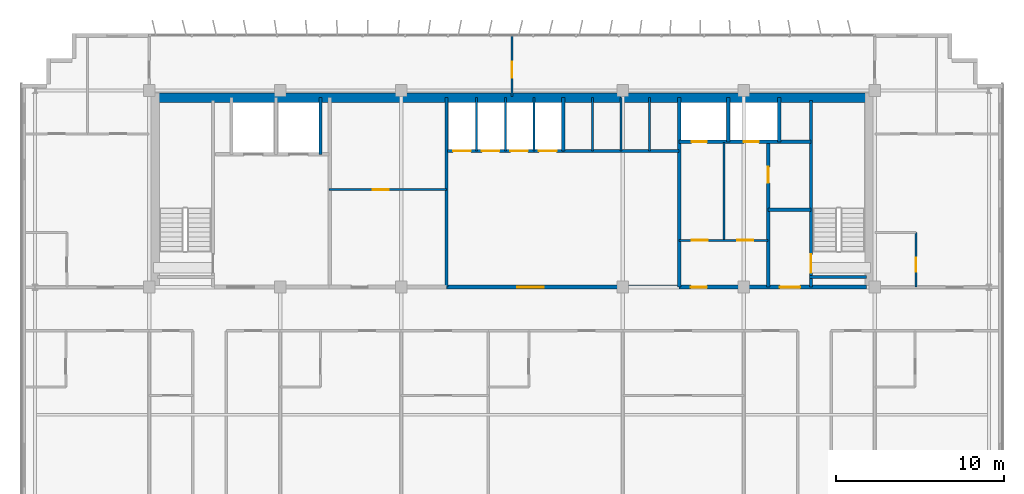
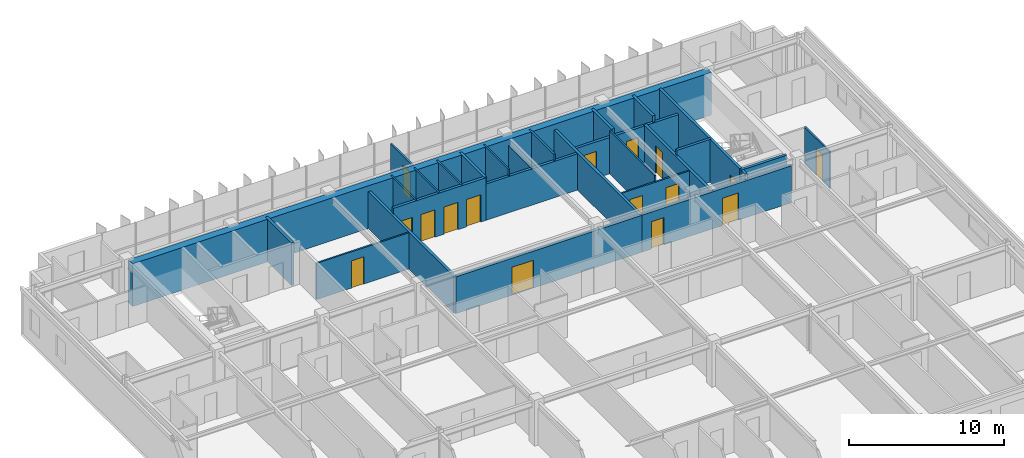
# One storey, part 20 of 23: 27 walls, 16 doors, 16 openings.
"""IFC4 building model written with IfcOpenShell, lengths in metres."""

import ifcopenshell
import ifcopenshell.guid

model = None  # the IFC model being written
_history = None  # IfcOwnerHistory: only IFC2X3 demands one
_inside = {}  # id of a spatial element -> (the spatial element, [elements in it])
_under = {}  # id of a project, library or spatial element -> (it, [spatial elements below it])
_declared = {}  # id of a project -> (the project, [libraries it declares])
_typed = {}  # id of a type object -> (the type object, [elements of that type])
_made_of = {}  # id of a material, layer set ... -> (it, [elements and type objects made of it])


def new_model(schema):
    """Start an empty IFC model of exactly this schema.

    Asked for "IFC4X3", IfcOpenShell would pick the latest addendum, in which some entities
    have other attributes; the version numbers below select the first issue.
    IFC2X3 requires an IfcOwnerHistory on every rooted entity: one is made here for all.
    """
    global model, _history
    if schema == "IFC4X3":
        model = ifcopenshell.file(schema_version=(4, 3, 0, 0))
    else:
        model = ifcopenshell.file(schema=schema)
    _inside.clear()
    _under.clear()
    _declared.clear()
    _typed.clear()
    _made_of.clear()
    _history = None
    if model.schema == "IFC2X3":
        org = make("IfcOrganization", Name="unknown")
        user = make(
            "IfcPersonAndOrganization",
            ThePerson=make("IfcPerson", FamilyName="unknown"),
            TheOrganization=org,
        )
        app = make(
            "IfcApplication",
            ApplicationDeveloper=org,
            Version="unknown",
            ApplicationFullName="unknown",
            ApplicationIdentifier="unknown",
        )
        _history = make(
            "IfcOwnerHistory",
            OwningUser=user,
            OwningApplication=app,
            ChangeAction="ADDED",
            CreationDate=0,
        )
    return model


def make(cls, **values):
    """One entity of the class cls with the attributes given. An attribute that is None is left unset."""
    return model.create_entity(
        cls, **{name: value for name, value in values.items() if value is not None}
    )


def rooted(cls, **values):
    """An entity with a GlobalId (a new one), such as an element, a storey or a relation."""
    return make(cls, GlobalId=ifcopenshell.guid.new(), OwnerHistory=_history, **values)


def si_unit(unit_type, name, prefix=None):
    """IfcSIUnit, for example si_unit("LENGTHUNIT", "METRE", prefix="MILLI")."""
    return make("IfcSIUnit", UnitType=unit_type, Prefix=prefix, Name=name)


def assignment(units):
    """IfcUnitAssignment: the units of a project."""
    return None if units is None else make("IfcUnitAssignment", Units=units)


def point(xyz):
    """IfcCartesianPoint."""
    return None if xyz is None else make("IfcCartesianPoint", Coordinates=xyz)


def direction(xyz):
    """IfcDirection."""
    return None if xyz is None else make("IfcDirection", DirectionRatios=xyz)


def frame(location, z_axis=None, x_axis=None):
    """IfcAxis2Placement3D, a coordinate frame: its origin and axes. An axis left out is left unset."""
    return make(
        "IfcAxis2Placement3D",
        Location=point(location),
        Axis=direction(z_axis),
        RefDirection=direction(x_axis),
    )


def frame_2d(location, x_axis=None):
    """IfcAxis2Placement2D, a coordinate frame in the plane: its origin and x axis."""
    return make(
        "IfcAxis2Placement2D", Location=point(location), RefDirection=direction(x_axis)
    )


def origin():
    """The frame at (0, 0, 0) with its axes left unset."""
    return frame((0.0, 0.0, 0.0))


def place(relative_to, where):
    """IfcLocalPlacement: puts the frame where relative to a parent placement (None: the world)."""
    return make(
        "IfcLocalPlacement", PlacementRelTo=relative_to, RelativePlacement=where
    )


def context(
    kind, dimensions, precision=None, world=None, true_north=None, identifier=None
):
    """IfcGeometricRepresentationContext, for example the 3D "Model" context."""
    return make(
        "IfcGeometricRepresentationContext",
        ContextIdentifier=identifier,
        ContextType=kind,
        CoordinateSpaceDimension=dimensions,
        Precision=precision,
        WorldCoordinateSystem=world,
        TrueNorth=true_north,
    )


def subcontext(parent, identifier, kind, view, scale=None):
    """IfcGeometricRepresentationSubContext, for example "Body" below "Model"."""
    return make(
        "IfcGeometricRepresentationSubContext",
        ContextIdentifier=identifier,
        ContextType=kind,
        ParentContext=parent,
        TargetScale=scale,
        TargetView=view,
    )


def project(units=None, contexts=None):
    """IfcProject with its units and contexts."""
    return rooted(
        "IfcProject",
        Name="project",
        RepresentationContexts=contexts,
        UnitsInContext=assignment(units),
    )


def spatial(cls, under=None, at=None, **own):
    """A site, building, storey or space (cls), placed at a placement, below another one or the project."""
    s = rooted(cls, ObjectPlacement=at, **own)
    if under is not None:
        _under.setdefault(under.id(), (under, []))[1].append(s)
    return s


def profile(cls, at=None, kind="AREA", **sizes):
    """A parametric profile (cls). Its sizes go by their IFC names, for example OverallWidth=200.0."""
    return make(cls, ProfileType=kind, Position=at, **sizes)


def rectangle(**sizes):
    """IfcRectangleProfileDef."""
    return profile("IfcRectangleProfileDef", **sizes)


def extrude(swept, where, along, depth):
    """IfcExtrudedAreaSolid: the profile swept, set in the frame where, extruded along a direction by depth."""
    return make(
        "IfcExtrudedAreaSolid",
        SweptArea=swept,
        Position=where,
        ExtrudedDirection=direction(along),
        Depth=depth,
    )


def shape(context_of_items, identifier, shape_type, items):
    """IfcShapeRepresentation: the items that make up one representation, for example the "Body"."""
    return make(
        "IfcShapeRepresentation",
        ContextOfItems=context_of_items,
        RepresentationIdentifier=identifier,
        RepresentationType=shape_type,
        Items=items,
    )


def source(mapping_origin, context_of_items, identifier, shape_type, items):
    """IfcRepresentationMap: a shape defined once, which mapped items show again and again."""
    return make(
        "IfcRepresentationMap",
        MappingOrigin=mapping_origin,
        MappedRepresentation=shape(context_of_items, identifier, shape_type, items),
    )


def transform(
    local_origin,
    x_axis=None,
    y_axis=None,
    z_axis=None,
    scale=None,
    scale2=None,
    scale3=None,
    uniform=True,
):
    """IfcCartesianTransformationOperator3D, or its non-uniform kind. x_axis, y_axis, z_axis: its Axis1, 2, 3."""
    if uniform:
        return make(
            "IfcCartesianTransformationOperator3D",
            Axis1=direction(x_axis),
            Axis2=direction(y_axis),
            LocalOrigin=point(local_origin),
            Scale=scale,
            Axis3=direction(z_axis),
        )
    return make(
        "IfcCartesianTransformationOperator3DnonUniform",
        Axis1=direction(x_axis),
        Axis2=direction(y_axis),
        LocalOrigin=point(local_origin),
        Scale=scale,
        Axis3=direction(z_axis),
        Scale2=scale2,
        Scale3=scale3,
    )


def mapped(mapping_source, mapping_target):
    """IfcMappedItem: shows the shape of a source again, moved by a transform."""
    return make(
        "IfcMappedItem", MappingSource=mapping_source, MappingTarget=mapping_target
    )


def material(Name=None, Category=None):
    """IfcMaterial."""
    return make("IfcMaterial", Name=Name, Category=Category)


def layer(
    of_material, thickness, ventilated=None, Name=None, Category=None, Priority=None
):
    """IfcMaterialLayer: one layer of a wall or slab, of a material (None: an air gap)."""
    return make(
        "IfcMaterialLayer",
        Material=of_material,
        LayerThickness=thickness,
        IsVentilated=ventilated,
        Name=Name,
        Category=Category,
        Priority=Priority,
    )


def layer_set(layers, Name=None):
    """IfcMaterialLayerSet."""
    return make("IfcMaterialLayerSet", MaterialLayers=layers, LayerSetName=Name)


def made_of(thing, what):
    """Note that an element or type object is made of a material, layer set ...; save() writes the relation."""
    if what is not None:
        _made_of.setdefault(what.id(), (what, []))[1].append(thing)
    return thing


def type_object(cls, material=None, **own):
    """A type object (cls), such as IfcWallType, which elements share."""
    return made_of(rooted(cls, **own), material)


def element(
    cls,
    number,
    at=None,
    inside=None,
    cuts=None,
    type_object=None,
    material=None,
    context=None,
    identifier="Body",
    shape_type=None,
    held_by="IfcProductDefinitionShape",
    body=None,
    shapes=None,
    **own,
):
    """One element of the class cls, such as IfcWall. Its Tag is "e" and its number.

    at: its placement. inside: the storey or other place that contains it. cuts: it is an
    opening in that element (IfcRelVoidsElement). A single representation is given by context,
    identifier, shape_type and body (its items); several are given by shapes. held_by: the class
    of the entity that holds the representations. save() writes the other relations.
    """
    e = rooted(cls, Tag="e%d" % number, ObjectPlacement=at, **own)
    if body is not None:
        shapes = [shape(context, identifier, shape_type, body)]
    if shapes is not None:
        e.Representation = make(held_by, Representations=shapes)
    if inside is not None:
        _inside.setdefault(inside.id(), (inside, []))[1].append(e)
    if cuts is not None:
        rooted(
            "IfcRelVoidsElement", RelatingBuildingElement=cuts, RelatedOpeningElement=e
        )
    if type_object is not None:
        _typed.setdefault(type_object.id(), (type_object, []))[1].append(e)
    return made_of(e, material)


def fill(opening, filler):
    """IfcRelFillsElement: the door or window that sits in an opening."""
    return rooted(
        "IfcRelFillsElement",
        RelatingOpeningElement=opening,
        RelatedBuildingElement=filler,
    )


def aggregate(whole, parts):
    """IfcRelAggregates: a whole, such as a stair, and the parts it consists of."""
    return rooted("IfcRelAggregates", RelatingObject=whole, RelatedObjects=parts)


def save(model, path):
    """Write the relations noted so far, then the file.

    IfcRelAggregates (storeys below a building ...), IfcRelContainedInSpatialStructure (elements
    in a storey), IfcRelDefinesByType, IfcRelAssociatesMaterial and IfcRelDeclares: one each for
    every whole, place, type object, material and project.
    """
    for whole, parts in _under.values():
        aggregate(whole, parts)
    for where, things in _inside.values():
        rooted(
            "IfcRelContainedInSpatialStructure",
            RelatedElements=things,
            RelatingStructure=where,
        )
    for kind, things in _typed.values():
        rooted("IfcRelDefinesByType", RelatedObjects=things, RelatingType=kind)
    for what, things in _made_of.values():
        rooted("IfcRelAssociatesMaterial", RelatedObjects=things, RelatingMaterial=what)
    for by, libraries in _declared.values():
        rooted("IfcRelDeclares", RelatingContext=by, RelatedDefinitions=libraries)
    model.write(path)


model = new_model("IFC4")

# Units and contexts
model_context = context("Model", 3, precision=1e-05, world=origin(), true_north=direction((0.0, 1.0)))
body_context = subcontext(model_context, "Body", "Model", "MODEL_VIEW")
ifc_project = project(units=[si_unit("LENGTHUNIT", "METRE"), si_unit("AREAUNIT", "SQUARE_METRE"), si_unit("VOLUMEUNIT", "CUBIC_METRE"), si_unit("PLANEANGLEUNIT", "RADIAN"), si_unit("MASSUNIT", "GRAM", prefix="KILO")], contexts=[model_context])

# Site, building, storey
site_placement = place(None, origin())
site = spatial("IfcSite", under=ifc_project, at=site_placement, CompositionType="ELEMENT")
building_placement = place(site_placement, origin())
building = spatial("IfcBuilding", under=site, at=building_placement, Name="Trelvane Seafront Commons", CompositionType="ELEMENT")
storey_placement = place(building_placement, frame((0.0, 0.0, 208.5)))
storey = spatial("IfcBuildingStorey", under=building, at=storey_placement, Name="L54", CompositionType="ELEMENT", Elevation=208.5)

# Wall, opening, door
ifc_material_1 = material(Name="Concrete C40/50", Category="concrete")
ifc_layer_1 = layer(ifc_material_1, 0.199951171875, Name="ARCH-WALL-FIRE200")
ifc_layer_set_1 = layer_set([ifc_layer_1], Name="Concrete C40/50")
wall_type_1 = type_object("IfcWallType", Name="ARCH-WALL-FIRE200", PredefinedType="PARTITIONING", material=ifc_layer_set_1)
wall_1_placement = place(storey_placement, frame((52.449951171875, 33.39990234375, 0.0), z_axis=(0.0, 0.0, 1.0), x_axis=(0.0, 1.0, 0.0)))
wall_1 = element("IfcWall", 1, at=wall_1_placement, inside=storey, type_object=wall_type_1, Name="W-L54-ST2V-W-031", PredefinedType="PARTITIONING", context=body_context, shape_type="SweptSolid", body=[
    extrude(rectangle(XDim=8.650146484375, YDim=0.199951171875, at=frame_2d((4.3251953125, 0.0))), origin(), (0.0, 0.0, 1.0), 2.909912109375),
])
opening_1_placement = place(wall_1_placement, frame((6.199951171875, 0.0, 0.0)))
opening_1 = element("IfcOpeningElement", 2, at=opening_1_placement, cuts=wall_1, Name="Opening FD-L54-15", PredefinedType="OPENING", context=body_context, shape_type="SweptSolid", body=[
    extrude(rectangle(XDim=0.949951171875, YDim=2.14990234375, at=frame_2d((0.47509765625, 1.074951171875))), frame((0.0, 0.10986328125, 0.0), z_axis=(0.0, -1.0, 0.0), x_axis=(1.0, 0.0, 0.0)), (0.0, 0.0, 1.0), 0.219970703125),
])
ifc_material_2 = material(Name="Powder-coated aluminium frame", Category="aluminium")
door_type_1 = type_object("IfcDoorType", Name="ARCH-DR-FD60-950", OperationType="NOTDEFINED", PredefinedType="DOOR", material=ifc_material_2)
shared_shape_1 = source(origin(), body_context, "Body", "SweptSolid", [
    extrude(rectangle(XDim=0.949951171875, YDim=2.14990234375, at=frame_2d((0.47509765625, 1.074951171875))), frame((0.0, 0.02490234375, 0.0), z_axis=(0.0, -1.0, 0.0), x_axis=(1.0, 0.0, 0.0)), (0.0, 0.0, 1.0), 0.050048828125),
])
door_1_placement = place(opening_1_placement, origin())
door_1 = element("IfcDoor", 3, at=door_1_placement, inside=storey, type_object=door_type_1, Name="L54 Cleaner Store Door", OperationType="SINGLE_SWING_LEFT", OverallHeight=2.14990234375, OverallWidth=0.949951171875, PredefinedType="DOOR", context=body_context, shape_type="MappedRepresentation", body=[
    mapped(shared_shape_1, transform((0.0, 0.0, 0.0), x_axis=(1.0, 0.0, 0.0), y_axis=(0.0, 1.0, 0.0), z_axis=(0.0, 0.0, 1.0), scale=1.0)),
])
fill(opening_1, door_1)

# Wall
wall_2_placement = place(storey_placement, frame((52.449951171875, 38.0, 0.0), z_axis=(0.0, 0.0, 1.0), x_axis=(1.0, 0.0, 0.0)))
element("IfcWall", 4, at=wall_2_placement, inside=storey, type_object=wall_type_1, Name="W-L54-ST2V-N-032", PredefinedType="PARTITIONING", context=body_context, shape_type="SweptSolid", body=[
    extrude(rectangle(XDim=2.550048828125, YDim=0.199951171875, at=frame_2d((1.27490234375, 0.0))), origin(), (0.0, 0.0, 1.0), 3.360107421875),
])

# Wall, opening, door
ifc_layer_2 = layer(ifc_material_1, 0.25, Name="ARCH-WALL-FIRE250")
ifc_layer_set_2 = layer_set([ifc_layer_2], Name="Concrete C40/50")
wall_type_2 = type_object("IfcWallType", Name="ARCH-WALL-FIRE250", PredefinedType="PARTITIONING", material=ifc_layer_set_2)
wall_3_placement = place(storey_placement, frame((33.300048828125, 33.39990234375, 0.0), z_axis=(0.0, 0.0, 1.0), x_axis=(1.0, 0.0, 0.0)))
wall_3 = element("IfcWall", 5, at=wall_3_placement, inside=storey, type_object=wall_type_2, Name="W-L54-CS-PAX-027", PredefinedType="PARTITIONING", context=body_context, shape_type="SweptSolid", body=[
    extrude(rectangle(XDim=13.849853515625, YDim=0.25, at=frame_2d((6.9248046875, 0.0))), origin(), (0.0, 0.0, 1.0), 2.909912109375),
])
opening_2_placement = place(wall_3_placement, frame((4.199951171875, 0.0, 0.0)))
opening_2 = element("IfcOpeningElement", 6, at=opening_2_placement, cuts=wall_3, Name="Opening FD-L54-12", PredefinedType="OPENING", context=body_context, shape_type="SweptSolid", body=[
    extrude(rectangle(XDim=1.60009765625, YDim=2.199951171875, at=frame_2d((0.800048828125, 1.10009765625))), frame((0.0, 0.135009765625, 0.0), z_axis=(0.0, -1.0, 0.0), x_axis=(1.0, 0.0, 0.0)), (0.0, 0.0, 1.0), 0.27001953125),
])
door_type_2 = type_object("IfcDoorType", Name="ARCH-DR-FD60-1600", OperationType="DOUBLE_DOOR_SINGLE_SWING", PredefinedType="DOOR", material=ifc_material_2)
shared_shape_2 = source(origin(), body_context, "Body", "SweptSolid", [
    extrude(rectangle(XDim=1.60009765625, YDim=2.199951171875, at=frame_2d((0.800048828125, 1.10009765625))), frame((0.0, 0.02490234375, 0.0), z_axis=(0.0, -1.0, 0.0), x_axis=(1.0, 0.0, 0.0)), (0.0, 0.0, 1.0), 0.050048828125),
])
door_2_placement = place(opening_2_placement, origin())
door_2 = element("IfcDoor", 7, at=door_2_placement, inside=storey, type_object=door_type_2, Name="L54 Passenger Lift Lobby Double Door", OperationType="DOUBLE_DOOR_SINGLE_SWING", OverallHeight=2.199951171875, OverallWidth=1.60009765625, PredefinedType="DOOR", context=body_context, shape_type="MappedRepresentation", body=[
    mapped(shared_shape_2, transform((0.0, 0.0, 0.0), x_axis=(1.0, 0.0, 0.0), y_axis=(0.0, 1.0, 0.0), z_axis=(0.0, 0.0, 1.0), scale=1.0)),
])
fill(opening_2, door_2)

# Wall, openings, doors
wall_4_placement = place(storey_placement, frame((47.14990234375, 33.39990234375, 0.0), z_axis=(0.0, 0.0, 1.0), x_axis=(1.0, 0.0, 0.0)))
wall_4 = element("IfcWall", 8, at=wall_4_placement, inside=storey, type_object=wall_type_2, Name="W-L54-CS-EAST-035", PredefinedType="PARTITIONING", context=body_context, shape_type="SweptSolid", body=[
    extrude(rectangle(XDim=11.150146484375, YDim=0.25, at=frame_2d((5.5751953125, 0.0))), origin(), (0.0, 0.0, 1.0), 2.909912109375),
])
opening_3_placement = place(wall_4_placement, frame((0.699951171875, 0.0, 0.0)))
opening_3 = element("IfcOpeningElement", 9, at=opening_3_placement, cuts=wall_4, Name="Opening FD-L54-18", PredefinedType="OPENING", context=body_context, shape_type="SweptSolid", body=[
    extrude(rectangle(XDim=0.949951171875, YDim=2.14990234375, at=frame_2d((0.47509765625, 1.074951171875))), frame((0.0, 0.135009765625, 0.0), z_axis=(0.0, -1.0, 0.0), x_axis=(1.0, 0.0, 0.0)), (0.0, 0.0, 1.0), 0.27001953125),
])
opening_4_placement = place(wall_4_placement, frame((6.0, 0.0, 0.0)))
opening_4 = element("IfcOpeningElement", 10, at=opening_4_placement, cuts=wall_4, Name="Opening FD-L54-19", PredefinedType="OPENING", context=body_context, shape_type="SweptSolid", body=[
    extrude(rectangle(XDim=1.199951171875, YDim=2.14990234375, at=frame_2d((0.60009765625, 1.074951171875))), frame((0.0, 0.135009765625, 0.0), z_axis=(0.0, -1.0, 0.0), x_axis=(1.0, 0.0, 0.0)), (0.0, 0.0, 1.0), 0.27001953125),
])
door_3_placement = place(opening_3_placement, origin())
door_3 = element("IfcDoor", 11, at=door_3_placement, inside=storey, type_object=door_type_1, Name="L54 Core Service Lobby Door", OperationType="SINGLE_SWING_RIGHT", OverallHeight=2.14990234375, OverallWidth=0.949951171875, PredefinedType="DOOR", context=body_context, shape_type="MappedRepresentation", body=[
    mapped(shared_shape_1, transform((0.0, 0.0, 0.0), x_axis=(1.0, 0.0, 0.0), y_axis=(0.0, 1.0, 0.0), z_axis=(0.0, 0.0, 1.0), scale=1.0)),
])
fill(opening_3, door_3)
door_type_3 = type_object("IfcDoorType", Name="ARCH-DR-FD60-1200", OperationType="NOTDEFINED", PredefinedType="DOOR", material=ifc_material_2)
shared_shape_3 = source(origin(), body_context, "Body", "SweptSolid", [
    extrude(rectangle(XDim=1.199951171875, YDim=2.14990234375, at=frame_2d((0.60009765625, 1.074951171875))), frame((0.0, 0.02490234375, 0.0), z_axis=(0.0, -1.0, 0.0), x_axis=(1.0, 0.0, 0.0)), (0.0, 0.0, 1.0), 0.050048828125),
])
door_4_placement = place(opening_4_placement, origin())
door_4 = element("IfcDoor", 12, at=door_4_placement, inside=storey, type_object=door_type_3, Name="L54 East Stair Vestibule Fire Door", OperationType="SINGLE_SWING_LEFT", OverallHeight=2.14990234375, OverallWidth=1.199951171875, PredefinedType="DOOR", context=body_context, shape_type="MappedRepresentation", body=[
    mapped(shared_shape_3, transform((0.0, 0.0, 0.0), x_axis=(1.0, 0.0, 0.0), y_axis=(0.0, 1.0, 0.0), z_axis=(0.0, 0.0, 1.0), scale=1.0)),
])
fill(opening_4, door_4)

# Wall, opening, door
ifc_material_3 = material(Name="Gypsum Drywall Acoustic Partition")
ifc_layer_3 = layer(ifc_material_3, 0.1201171875, Name="ARCH-WALL-PART120")
ifc_layer_set_3 = layer_set([ifc_layer_3], Name="Gypsum Drywall Acoustic Partition")
wall_type_3 = type_object("IfcWallType", Name="ARCH-WALL-PART120", PredefinedType="PARTITIONING", material=ifc_layer_set_3)
wall_5_placement = place(storey_placement, frame((26.300048828125, 39.199951171875, 0.0), z_axis=(0.0, 0.0, 1.0), x_axis=(1.0, 0.0, 0.0)))
wall_5 = element("IfcWall", 13, at=wall_5_placement, inside=storey, type_object=wall_type_3, Name="W-L54-FREED-PL-MID-014", PredefinedType="PARTITIONING", context=body_context, shape_type="SweptSolid", body=[
    extrude(rectangle(XDim=7.0, YDim=0.1201171875, at=frame_2d((3.5, 0.0))), origin(), (0.0, 0.0, 1.0), 2.860107421875),
])
opening_5_placement = place(wall_5_placement, frame((2.60009765625, 0.0, 0.0)))
opening_5 = element("IfcOpeningElement", 14, at=opening_5_placement, cuts=wall_5, Name="Opening D-L54-06", PredefinedType="OPENING", context=body_context, shape_type="SweptSolid", body=[
    extrude(rectangle(XDim=0.949951171875, YDim=2.14990234375, at=frame_2d((0.47509765625, 1.074951171875))), frame((0.0, 0.070068359375, 0.0), z_axis=(0.0, -1.0, 0.0), x_axis=(1.0, 0.0, 0.0)), (0.0, 0.0, 1.0), 0.14013671875),
])
ifc_material_4 = material(Name="Acoustic timber door leaf", Category="wood")
door_type_4 = type_object("IfcDoorType", Name="ARCH-DR-INT950", OperationType="NOTDEFINED", PredefinedType="DOOR", material=ifc_material_4)
door_5_placement = place(opening_5_placement, origin())
door_5 = element("IfcDoor", 15, at=door_5_placement, inside=storey, type_object=door_type_4, Name="L54 Housekeeping Store Door", OperationType="SINGLE_SWING_RIGHT", OverallHeight=2.14990234375, OverallWidth=0.949951171875, PredefinedType="DOOR", context=body_context, shape_type="MappedRepresentation", body=[
    mapped(shared_shape_1, transform((0.0, 0.0, 0.0), x_axis=(1.0, 0.0, 0.0), y_axis=(0.0, 1.0, 0.0), z_axis=(0.0, 0.0, 1.0), scale=1.0)),
])
fill(opening_5, door_5)

# Walls
for number, where, z_axis, x_axis, name in (
    (16, (35.10009765625, 41.5, 0.0), (0.0, 0.0, 1.0), (0.0, 1.0, 0.0), "W-L54-PM-DIV1-017"),
    (17, (36.800048828125, 41.5, 0.0), (0.0, 0.0, 1.0), (0.0, 1.0, 0.0), "W-L54-PM-DIV2-018"),
    (18, (38.5, 41.5, 0.0), (0.0, 0.0, 1.0), (0.0, 1.0, 0.0), "W-L54-PM-DIV3-019"),
    (19, (42.0, 41.5, 0.0), (0.0, 0.0, 1.0), (0.0, 1.0, 0.0), "W-L54-PH-DIV1-022"),
):
    element("IfcWall", number, at=place(storey_placement, frame(where, z_axis=z_axis, x_axis=x_axis)), inside=storey, type_object=wall_type_3, Name=name, PredefinedType="PARTITIONING", context=body_context, shape_type="SweptSolid", body=[
        extrude(rectangle(XDim=3.199951171875, YDim=0.1201171875, at=frame_2d((1.60009765625, 0.0))), origin(), (0.0, 0.0, 1.0), 3.360107421875),
    ])
wall_6_placement = place(storey_placement, frame((43.699951171875, 41.5, 0.0), z_axis=(0.0, 0.0, 1.0), x_axis=(0.0, 1.0, 0.0)))
element("IfcWall", 20, at=wall_6_placement, inside=storey, type_object=wall_type_3, Name="W-L54-PH-DIV2-023", PredefinedType="PARTITIONING", context=body_context, shape_type="SweptSolid", body=[
    extrude(rectangle(XDim=3.199951171875, YDim=0.1201171875, at=frame_2d((1.60009765625, 0.0))), origin(), (0.0, 0.0, 1.0), 2.860107421875),
])
wall_7_placement = place(storey_placement, frame((45.39990234375, 41.5, 0.0), z_axis=(0.0, 0.0, 1.0), x_axis=(0.0, 1.0, 0.0)))
element("IfcWall", 21, at=wall_7_placement, inside=storey, type_object=wall_type_3, Name="W-L54-PH-DIV3-024", PredefinedType="PARTITIONING", context=body_context, shape_type="SweptSolid", body=[
    extrude(rectangle(XDim=3.199951171875, YDim=0.1201171875, at=frame_2d((1.60009765625, 0.0))), origin(), (0.0, 0.0, 1.0), 3.360107421875),
])

# Wall, openings, doors
wall_8_placement = place(storey_placement, frame((47.14990234375, 36.179931640625, 0.0), z_axis=(0.0, 0.0, 1.0), x_axis=(1.0, 0.0, 0.0)))
wall_8 = element("IfcWall", 22, at=wall_8_placement, inside=storey, type_object=wall_type_3, Name="W-L54-CYC1-H-033", PredefinedType="PARTITIONING", context=body_context, shape_type="SweptSolid", body=[
    extrude(rectangle(XDim=5.300048828125, YDim=0.1201171875, at=frame_2d((2.64990234375, 0.0))), origin(), (0.0, 0.0, 1.0), 2.860107421875),
])
opening_6_placement = place(wall_8_placement, frame((0.75, 0.0, 0.0)))
opening_6 = element("IfcOpeningElement", 23, at=opening_6_placement, cuts=wall_8, Name="Opening D-L54-16", PredefinedType="OPENING", context=body_context, shape_type="SweptSolid", body=[
    extrude(rectangle(XDim=0.949951171875, YDim=2.14990234375, at=frame_2d((0.47509765625, 1.074951171875))), frame((0.0, 0.070068359375, 0.0), z_axis=(0.0, -1.0, 0.0), x_axis=(1.0, 0.0, 0.0)), (0.0, 0.0, 1.0), 0.14013671875),
])
opening_7_placement = place(wall_8_placement, frame((3.449951171875, 0.0, 0.0)))
opening_7 = element("IfcOpeningElement", 24, at=opening_7_placement, cuts=wall_8, Name="Opening D-L54-17", PredefinedType="OPENING", context=body_context, shape_type="SweptSolid", body=[
    extrude(rectangle(XDim=0.949951171875, YDim=2.14990234375, at=frame_2d((0.47509765625, 1.074951171875))), frame((0.0, 0.070068359375, 0.0), z_axis=(0.0, -1.0, 0.0), x_axis=(1.0, 0.0, 0.0)), (0.0, 0.0, 1.0), 0.14013671875),
])
door_6_placement = place(opening_6_placement, origin())
door_6 = element("IfcDoor", 25, at=door_6_placement, inside=storey, type_object=door_type_4, Name="L54 Accessible WC Door", OperationType="SINGLE_SWING_RIGHT", OverallHeight=2.14990234375, OverallWidth=0.949951171875, PredefinedType="DOOR", context=body_context, shape_type="MappedRepresentation", body=[
    mapped(shared_shape_1, transform((0.0, 0.0, 0.0), x_axis=(1.0, 0.0, 0.0), y_axis=(0.0, 1.0, 0.0), z_axis=(0.0, 0.0, 1.0), scale=1.0)),
])
fill(opening_6, door_6)
door_7_placement = place(opening_7_placement, origin())
door_7 = element("IfcDoor", 26, at=door_7_placement, inside=storey, type_object=door_type_4, Name="L54 BMS Room Door", OperationType="SINGLE_SWING_LEFT", OverallHeight=2.14990234375, OverallWidth=0.949951171875, PredefinedType="DOOR", context=body_context, shape_type="MappedRepresentation", body=[
    mapped(shared_shape_1, transform((0.0, 0.0, 0.0), x_axis=(1.0, 0.0, 0.0), y_axis=(0.0, 1.0, 0.0), z_axis=(0.0, 0.0, 1.0), scale=1.0)),
])
fill(opening_7, door_7)

# Wall
wall_9_placement = place(storey_placement, frame((49.820068359375, 36.179931640625, 0.0), z_axis=(0.0, 0.0, 1.0), x_axis=(0.0, 1.0, 0.0)))
element("IfcWall", 27, at=wall_9_placement, inside=storey, type_object=wall_type_3, Name="W-L54-CYC1-V-034", PredefinedType="PARTITIONING", context=body_context, shape_type="SweptSolid", body=[
    extrude(rectangle(XDim=5.820068359375, YDim=0.1201171875, at=frame_2d((2.91015625, 0.0))), origin(), (0.0, 0.0, 1.0), 3.360107421875),
])

# Wall, opening, door
wall_10_placement = place(storey_placement, frame((61.25, 33.39990234375, 0.0), z_axis=(0.0, 0.0, 1.0), x_axis=(0.0, 1.0, 0.0)))
wall_10 = element("IfcWall", 28, at=wall_10_placement, inside=storey, type_object=wall_type_3, Name="W-L54-NE-BE-042", PredefinedType="PARTITIONING", context=body_context, shape_type="SweptSolid", body=[
    extrude(rectangle(XDim=3.25, YDim=0.1201171875, at=frame_2d((1.625, 0.0))), origin(), (0.0, 0.0, 1.0), 2.909912109375),
])
opening_8_placement = place(wall_10_placement, frame((0.89990234375, 0.0, 0.0)))
opening_8 = element("IfcOpeningElement", 29, at=opening_8_placement, cuts=wall_10, Name="Opening D-L54-24", PredefinedType="OPENING", context=body_context, shape_type="SweptSolid", body=[
    extrude(rectangle(XDim=0.85009765625, YDim=2.10009765625, at=frame_2d((0.425048828125, 1.050048828125))), frame((0.0, 0.070068359375, 0.0), z_axis=(0.0, -1.0, 0.0), x_axis=(1.0, 0.0, 0.0)), (0.0, 0.0, 1.0), 0.14013671875),
])
door_type_5 = type_object("IfcDoorType", Name="ARCH-DR-INT850", OperationType="NOTDEFINED", PredefinedType="DOOR", material=ifc_material_4)
shared_shape_4 = source(origin(), body_context, "Body", "SweptSolid", [
    extrude(rectangle(XDim=0.85009765625, YDim=2.10009765625, at=frame_2d((0.425048828125, 1.050048828125))), frame((0.0, 0.02490234375, 0.0), z_axis=(0.0, -1.0, 0.0), x_axis=(1.0, 0.0, 0.0)), (0.0, 0.0, 1.0), 0.050048828125),
])
door_8_placement = place(opening_8_placement, origin())
door_8 = element("IfcDoor", 30, at=door_8_placement, inside=storey, type_object=door_type_5, Name="L54 Door 24", OperationType="SINGLE_SWING_RIGHT", OverallHeight=2.10009765625, OverallWidth=0.85009765625, PredefinedType="DOOR", context=body_context, shape_type="MappedRepresentation", body=[
    mapped(shared_shape_4, transform((0.0, 0.0, 0.0), x_axis=(1.0, 0.0, 0.0), y_axis=(0.0, 1.0, 0.0), z_axis=(0.0, 0.0, 1.0), scale=1.0)),
])
fill(opening_8, door_8)

wall_11_placement = place(storey_placement, frame((37.199951171875, 44.75, 0.0), z_axis=(0.0, 0.0, 1.0), x_axis=(0.0, 1.0, 0.0)))
wall_11 = element("IfcWall", 31, at=wall_11_placement, inside=storey, type_object=wall_type_3, Name="W-L54-N-MID-DV-048", PredefinedType="PARTITIONING", context=body_context, shape_type="SweptSolid", body=[
    extrude(rectangle(XDim=3.610107421875, YDim=0.1201171875, at=frame_2d((1.80517578125, 0.0))), origin(), (0.0, 0.0, 1.0), 2.909912109375),
])
opening_9_placement = place(wall_11_placement, frame((1.10009765625, 0.0, 0.0)))
opening_9 = element("IfcOpeningElement", 32, at=opening_9_placement, cuts=wall_11, Name="Opening D-L54-28", PredefinedType="OPENING", context=body_context, shape_type="SweptSolid", body=[
    extrude(rectangle(XDim=0.949951171875, YDim=2.14990234375, at=frame_2d((0.47509765625, 1.074951171875))), frame((0.0, 0.070068359375, 0.0), z_axis=(0.0, -1.0, 0.0), x_axis=(1.0, 0.0, 0.0)), (0.0, 0.0, 1.0), 0.14013671875),
])
door_9_placement = place(opening_9_placement, origin())
door_9 = element("IfcDoor", 33, at=door_9_placement, inside=storey, type_object=door_type_4, Name="L54 Door 28", OperationType="SINGLE_SWING_RIGHT", OverallHeight=2.14990234375, OverallWidth=0.949951171875, PredefinedType="DOOR", context=body_context, shape_type="MappedRepresentation", body=[
    mapped(shared_shape_1, transform((0.0, 0.0, 0.0), x_axis=(1.0, 0.0, 0.0), y_axis=(0.0, 1.0, 0.0), z_axis=(0.0, 0.0, 1.0), scale=1.0)),
])
fill(opening_9, door_9)

# Walls
ifc_layer_4 = layer(ifc_material_1, 0.199951171875, Name="ARCH-WALL-SHAFT200")
ifc_layer_set_4 = layer_set([ifc_layer_4], Name="Concrete C40/50")
wall_type_4 = type_object("IfcWallType", Name="ARCH-WALL-SHAFT200", PredefinedType="SOLIDWALL", material=ifc_layer_set_4)
wall_12_placement = place(storey_placement, frame((25.800048828125, 41.300048828125, 0.0), z_axis=(0.0, 0.0, 1.0), x_axis=(0.0, 1.0, 0.0)))
element("IfcWall", 34, at=wall_12_placement, inside=storey, type_object=wall_type_4, Name="W-L54-FFL-SH-E-011", PredefinedType="SOLIDWALL", context=body_context, shape_type="SweptSolid", body=[
    extrude(rectangle(XDim=3.39990234375, YDim=0.199951171875, at=frame_2d((1.699951171875, 0.0))), origin(), (0.0, 0.0, 1.0), 3.360107421875),
])
wall_13_placement = place(storey_placement, frame((33.300048828125, 33.39990234375, 0.0), z_axis=(0.0, 0.0, 1.0), x_axis=(0.0, 1.0, 0.0)))
element("IfcWall", 35, at=wall_13_placement, inside=storey, type_object=wall_type_4, Name="W-L54-FREED-PL-E-015", PredefinedType="SOLIDWALL", context=body_context, shape_type="SweptSolid", body=[
    extrude(rectangle(XDim=11.300048828125, YDim=0.199951171875, at=frame_2d((5.64990234375, 0.0))), origin(), (0.0, 0.0, 1.0), 2.909912109375),
])

# Wall, openings, doors
wall_14_placement = place(storey_placement, frame((33.35009765625, 41.5, 0.0), z_axis=(0.0, 0.0, 1.0), x_axis=(1.0, 0.0, 0.0)))
wall_14 = element("IfcWall", 36, at=wall_14_placement, inside=storey, type_object=wall_type_4, Name="W-L54-PM-FRONT-016", PredefinedType="SOLIDWALL", context=body_context, shape_type="SweptSolid", body=[
    extrude(rectangle(XDim=6.89990234375, YDim=0.199951171875, at=frame_2d((3.449951171875, 0.0))), origin(), (0.0, 0.0, 1.0), 3.360107421875),
])
opening_10_placement = place(wall_14_placement, frame((0.35009765625, 0.0, 0.0)))
opening_10 = element("IfcOpeningElement", 37, at=opening_10_placement, cuts=wall_14, Name="Opening LD-PM1-L54", PredefinedType="OPENING", context=body_context, shape_type="SweptSolid", body=[
    extrude(rectangle(XDim=1.050048828125, YDim=2.14990234375, at=frame_2d((0.52490234375, 1.074951171875))), frame((0.0, 0.10986328125, 0.0), z_axis=(0.0, -1.0, 0.0), x_axis=(1.0, 0.0, 0.0)), (0.0, 0.0, 1.0), 0.219970703125),
])
opening_11_placement = place(wall_14_placement, frame((2.050048828125, 0.0, 0.0)))
opening_11 = element("IfcOpeningElement", 38, at=opening_11_placement, cuts=wall_14, Name="Opening LD-PM2-L54", PredefinedType="OPENING", context=body_context, shape_type="SweptSolid", body=[
    extrude(rectangle(XDim=1.050048828125, YDim=2.14990234375, at=frame_2d((0.52490234375, 1.074951171875))), frame((0.0, 0.10986328125, 0.0), z_axis=(0.0, -1.0, 0.0), x_axis=(1.0, 0.0, 0.0)), (0.0, 0.0, 1.0), 0.219970703125),
])
opening_12_placement = place(wall_14_placement, frame((3.75, 0.0, 0.0)))
opening_12 = element("IfcOpeningElement", 39, at=opening_12_placement, cuts=wall_14, Name="Opening LD-PM3-L54", PredefinedType="OPENING", context=body_context, shape_type="SweptSolid", body=[
    extrude(rectangle(XDim=1.050048828125, YDim=2.14990234375, at=frame_2d((0.52490234375, 1.074951171875))), frame((0.0, 0.10986328125, 0.0), z_axis=(0.0, -1.0, 0.0), x_axis=(1.0, 0.0, 0.0)), (0.0, 0.0, 1.0), 0.219970703125),
])
opening_13_placement = place(wall_14_placement, frame((5.449951171875, 0.0, 0.0)))
opening_13 = element("IfcOpeningElement", 40, at=opening_13_placement, cuts=wall_14, Name="Opening LD-PM4-L54", PredefinedType="OPENING", context=body_context, shape_type="SweptSolid", body=[
    extrude(rectangle(XDim=1.050048828125, YDim=2.14990234375, at=frame_2d((0.52490234375, 1.074951171875))), frame((0.0, 0.10986328125, 0.0), z_axis=(0.0, -1.0, 0.0), x_axis=(1.0, 0.0, 0.0)), (0.0, 0.0, 1.0), 0.219970703125),
])
ifc_material_5 = material(Name="Stainless steel balustrade", Category="steel")
door_type_6 = type_object("IfcDoorType", Name="ARCH-DR-LD1050", OperationType="DOUBLE_DOOR_SLIDING", PredefinedType="DOOR", material=ifc_material_5)
shared_shape_5 = source(origin(), body_context, "Body", "SweptSolid", [
    extrude(rectangle(XDim=1.050048828125, YDim=2.14990234375, at=frame_2d((0.52490234375, 1.074951171875))), frame((0.0, 0.02490234375, 0.0), z_axis=(0.0, -1.0, 0.0), x_axis=(1.0, 0.0, 0.0)), (0.0, 0.0, 1.0), 0.050048828125),
])
door_10_placement = place(opening_10_placement, origin())
door_10 = element("IfcDoor", 41, at=door_10_placement, inside=storey, type_object=door_type_6, Name="L54 Passenger Lift PM-1 Landing Door", OperationType="DOUBLE_DOOR_SLIDING", OverallHeight=2.14990234375, OverallWidth=1.050048828125, PredefinedType="DOOR", context=body_context, shape_type="MappedRepresentation", body=[
    mapped(shared_shape_5, transform((0.0, 0.0, 0.0), x_axis=(1.0, 0.0, 0.0), y_axis=(0.0, 1.0, 0.0), z_axis=(0.0, 0.0, 1.0), scale=1.0)),
])
fill(opening_10, door_10)
door_11_placement = place(opening_11_placement, origin())
door_11 = element("IfcDoor", 42, at=door_11_placement, inside=storey, type_object=door_type_6, Name="L54 Passenger Lift PM-2 Landing Door", OperationType="DOUBLE_DOOR_SLIDING", OverallHeight=2.14990234375, OverallWidth=1.050048828125, PredefinedType="DOOR", context=body_context, shape_type="MappedRepresentation", body=[
    mapped(shared_shape_5, transform((0.0, 0.0, 0.0), x_axis=(1.0, 0.0, 0.0), y_axis=(0.0, 1.0, 0.0), z_axis=(0.0, 0.0, 1.0), scale=1.0)),
])
fill(opening_11, door_11)
door_12_placement = place(opening_12_placement, origin())
door_12 = element("IfcDoor", 43, at=door_12_placement, inside=storey, type_object=door_type_6, Name="L54 Passenger Lift PM-3 Landing Door", OperationType="DOUBLE_DOOR_SLIDING", OverallHeight=2.14990234375, OverallWidth=1.050048828125, PredefinedType="DOOR", context=body_context, shape_type="MappedRepresentation", body=[
    mapped(shared_shape_5, transform((0.0, 0.0, 0.0), x_axis=(1.0, 0.0, 0.0), y_axis=(0.0, 1.0, 0.0), z_axis=(0.0, 0.0, 1.0), scale=1.0)),
])
fill(opening_12, door_12)
door_13_placement = place(opening_13_placement, origin())
door_13 = element("IfcDoor", 44, at=door_13_placement, inside=storey, type_object=door_type_6, Name="L54 Passenger Lift PM-4 Landing Door", OperationType="DOUBLE_DOOR_SLIDING", OverallHeight=2.14990234375, OverallWidth=1.050048828125, PredefinedType="DOOR", context=body_context, shape_type="MappedRepresentation", body=[
    mapped(shared_shape_5, transform((0.0, 0.0, 0.0), x_axis=(1.0, 0.0, 0.0), y_axis=(0.0, 1.0, 0.0), z_axis=(0.0, 0.0, 1.0), scale=1.0)),
])
fill(opening_13, door_13)

# Walls
wall_15_placement = place(storey_placement, frame((40.25, 41.5, 0.0), z_axis=(0.0, 0.0, 1.0), x_axis=(1.0, 0.0, 0.0)))
element("IfcWall", 45, at=wall_15_placement, inside=storey, type_object=wall_type_4, Name="W-L54-PH-FRONT-020", PredefinedType="SOLIDWALL", context=body_context, shape_type="SweptSolid", body=[
    extrude(rectangle(XDim=6.89990234375, YDim=0.199951171875, at=frame_2d((3.449951171875, 0.0))), origin(), (0.0, 0.0, 1.0), 2.860107421875),
])
wall_16_placement = place(storey_placement, frame((40.25, 41.5, 0.0), z_axis=(0.0, 0.0, 1.0), x_axis=(0.0, 1.0, 0.0)))
element("IfcWall", 46, at=wall_16_placement, inside=storey, type_object=wall_type_4, Name="W-L54-PH-WEST-SH-021", PredefinedType="SOLIDWALL", context=body_context, shape_type="SweptSolid", body=[
    extrude(rectangle(XDim=3.199951171875, YDim=0.199951171875, at=frame_2d((1.60009765625, 0.0))), origin(), (0.0, 0.0, 1.0), 3.360107421875),
])
wall_17_placement = place(storey_placement, frame((47.14990234375, 33.39990234375, 0.0), z_axis=(0.0, 0.0, 1.0), x_axis=(0.0, 1.0, 0.0)))
element("IfcWall", 47, at=wall_17_placement, inside=storey, type_object=wall_type_4, Name="W-L54-PH-EAST-025", PredefinedType="SOLIDWALL", context=body_context, shape_type="SweptSolid", body=[
    extrude(rectangle(XDim=11.300048828125, YDim=0.199951171875, at=frame_2d((5.64990234375, 0.0))), origin(), (0.0, 0.0, 1.0), 2.909912109375),
])

# Wall, openings, doors
wall_18_placement = place(storey_placement, frame((47.14990234375, 42.050048828125, 0.0), z_axis=(0.0, 0.0, 1.0), x_axis=(1.0, 0.0, 0.0)))
wall_18 = element("IfcWall", 48, at=wall_18_placement, inside=storey, type_object=wall_type_4, Name="W-L54-RSR-S-028", PredefinedType="SOLIDWALL", context=body_context, shape_type="SweptSolid", body=[
    extrude(rectangle(XDim=7.85009765625, YDim=0.199951171875, at=frame_2d((3.925048828125, 0.0))), origin(), (0.0, 0.0, 1.0), 2.860107421875),
])
opening_14_placement = place(wall_18_placement, frame((0.75, 0.0, 0.0)))
opening_14 = element("IfcOpeningElement", 49, at=opening_14_placement, cuts=wall_18, Name="Opening FD-L54-13", PredefinedType="OPENING", context=body_context, shape_type="SweptSolid", body=[
    extrude(rectangle(XDim=0.89990234375, YDim=2.10009765625, at=frame_2d((0.449951171875, 1.050048828125))), frame((0.0, 0.10986328125, 0.0), z_axis=(0.0, -1.0, 0.0), x_axis=(1.0, 0.0, 0.0)), (0.0, 0.0, 1.0), 0.219970703125),
])
opening_15_placement = place(wall_18_placement, frame((3.85009765625, 0.0, 0.0)))
opening_15 = element("IfcOpeningElement", 50, at=opening_15_placement, cuts=wall_18, Name="Opening FD-L54-14", PredefinedType="OPENING", context=body_context, shape_type="SweptSolid", body=[
    extrude(rectangle(XDim=0.89990234375, YDim=2.10009765625, at=frame_2d((0.449951171875, 1.050048828125))), frame((0.0, 0.10986328125, 0.0), z_axis=(0.0, -1.0, 0.0), x_axis=(1.0, 0.0, 0.0)), (0.0, 0.0, 1.0), 0.219970703125),
])
door_type_7 = type_object("IfcDoorType", Name="ARCH-DR-FD60-900", OperationType="NOTDEFINED", PredefinedType="DOOR", material=ifc_material_2)
shared_shape_6 = source(origin(), body_context, "Body", "SweptSolid", [
    extrude(rectangle(XDim=0.89990234375, YDim=2.10009765625, at=frame_2d((0.449951171875, 1.050048828125))), frame((0.0, 0.02490234375, 0.0), z_axis=(0.0, -1.0, 0.0), x_axis=(1.0, 0.0, 0.0)), (0.0, 0.0, 1.0), 0.050048828125),
])
door_14_placement = place(opening_14_placement, origin())
door_14 = element("IfcDoor", 51, at=door_14_placement, inside=storey, type_object=door_type_7, Name="L54 Electrical Riser Access Door", OperationType="SINGLE_SWING_LEFT", OverallHeight=2.10009765625, OverallWidth=0.89990234375, PredefinedType="DOOR", context=body_context, shape_type="MappedRepresentation", body=[
    mapped(shared_shape_6, transform((0.0, 0.0, 0.0), x_axis=(1.0, 0.0, 0.0), y_axis=(0.0, 1.0, 0.0), z_axis=(0.0, 0.0, 1.0), scale=1.0)),
])
fill(opening_14, door_14)
door_15_placement = place(opening_15_placement, origin())
door_15 = element("IfcDoor", 52, at=door_15_placement, inside=storey, type_object=door_type_7, Name="L54 Mechanical Riser Access Door", OperationType="SINGLE_SWING_RIGHT", OverallHeight=2.10009765625, OverallWidth=0.89990234375, PredefinedType="DOOR", context=body_context, shape_type="MappedRepresentation", body=[
    mapped(shared_shape_6, transform((0.0, 0.0, 0.0), x_axis=(1.0, 0.0, 0.0), y_axis=(0.0, 1.0, 0.0), z_axis=(0.0, 0.0, 1.0), scale=1.0)),
])
fill(opening_15, door_15)

# Walls
for number, where, z_axis, x_axis, name in (
    (53, (50.080078125, 42.050048828125, 0.0), (0.0, 0.0, 1.0), (0.0, 1.0, 0.0), "W-L54-RSR-DIV-029"),
    (54, (53.10009765625, 42.050048828125, 0.0), (0.0, 0.0, 1.0), (0.0, 1.0, 0.0), "W-L54-RSR-E-030"),
):
    element("IfcWall", number, at=place(storey_placement, frame(where, z_axis=z_axis, x_axis=x_axis)), inside=storey, type_object=wall_type_4, Name=name, PredefinedType="SOLIDWALL", context=body_context, shape_type="SweptSolid", body=[
        extrude(rectangle(XDim=2.64990234375, YDim=0.199951171875, at=frame_2d((1.324951171875, 0.0))), origin(), (0.0, 0.0, 1.0), 3.360107421875),
    ])
ifc_material_6 = material(Name="Concrete C50/60", Category="concrete")
ifc_layer_5 = layer(ifc_material_6, 0.550048828125, Name="STR-WALL-CORE550")
ifc_layer_set_5 = layer_set([ifc_layer_5], Name="Concrete C50/60")
wall_type_5 = type_object("IfcWallType", Name="STR-WALL-CORE550", PredefinedType="SHEAR", material=ifc_layer_set_5)
wall_19_placement = place(storey_placement, frame((15.64990234375, 44.675048828125, 0.0), z_axis=(0.0, 0.0, 1.0), x_axis=(1.0, 0.0, 0.0)))
element("IfcWall", 55, at=wall_19_placement, inside=storey, type_object=wall_type_5, Name="W-L54-CN-ALL-001", PredefinedType="SHEAR", context=body_context, shape_type="SweptSolid", body=[
    extrude(rectangle(XDim=43.10009765625, YDim=0.550048828125, at=frame_2d((21.550048828125, 0.0))), origin(), (0.0, 0.0, 1.0), 3.360107421875),
])
ifc_layer_6 = layer(ifc_material_6, 0.199951171875, Name="STR-WALL-STAIR200")
ifc_layer_set_6 = layer_set([ifc_layer_6], Name="Concrete C50/60")
wall_type_6 = type_object("IfcWallType", Name="STR-WALL-STAIR200", PredefinedType="SHEAR", material=ifc_layer_set_6)
wall_20_placement = place(storey_placement, frame((54.89990234375, 34.0, 0.0), z_axis=(0.0, 0.0, 1.0), x_axis=(1.0, 0.0, 0.0)))
element("IfcWall", 56, at=wall_20_placement, inside=storey, type_object=wall_type_6, Name="W-L54-ST2-S-006", PredefinedType="SHEAR", context=body_context, shape_type="SweptSolid", body=[
    extrude(rectangle(XDim=3.400146484375, YDim=0.199951171875, at=frame_2d((1.7001953125, 0.0))), origin(), (0.0, 0.0, 1.0), 3.360107421875),
])

# Wall, opening, door
wall_21_placement = place(storey_placement, frame((55.0, 33.39990234375, 0.0), z_axis=(0.0, 0.0, 1.0), x_axis=(0.0, 1.0, 0.0)))
wall_21 = element("IfcWall", 57, at=wall_21_placement, inside=storey, type_object=wall_type_6, Name="W-L54-ST2-W-007", PredefinedType="SHEAR", context=body_context, shape_type="SweptSolid", body=[
    extrude(rectangle(XDim=11.10009765625, YDim=0.199951171875, at=frame_2d((5.550048828125, 0.0))), origin(), (0.0, 0.0, 1.0), 3.360107421875),
])
opening_16_placement = place(wall_21_placement, frame((0.85009765625, 0.0, 0.0)))
opening_16 = element("IfcOpeningElement", 58, at=opening_16_placement, cuts=wall_21, Name="Opening ST-D2-L54", PredefinedType="OPENING", context=body_context, shape_type="SweptSolid", body=[
    extrude(rectangle(XDim=1.10009765625, YDim=2.14990234375, at=frame_2d((0.550048828125, 1.074951171875))), frame((0.0, 0.10986328125, 0.0), z_axis=(0.0, -1.0, 0.0), x_axis=(1.0, 0.0, 0.0)), (0.0, 0.0, 1.0), 0.219970703125),
])
door_type_8 = type_object("IfcDoorType", Name="ARCH-DR-FD90-1100", OperationType="NOTDEFINED", PredefinedType="DOOR", material=ifc_material_2)
shared_shape_7 = source(origin(), body_context, "Body", "SweptSolid", [
    extrude(rectangle(XDim=1.10009765625, YDim=2.14990234375, at=frame_2d((0.550048828125, 1.074951171875))), frame((0.0, 0.02490234375, 0.0), z_axis=(0.0, -1.0, 0.0), x_axis=(1.0, 0.0, 0.0)), (0.0, 0.0, 1.0), 0.050048828125),
])
door_16_placement = place(opening_16_placement, origin())
door_16 = element("IfcDoor", 59, at=door_16_placement, inside=storey, type_object=door_type_8, Name="L54 Stair ST-2 Vestibule Fire Door", OperationType="SINGLE_SWING_RIGHT", OverallHeight=2.14990234375, OverallWidth=1.10009765625, PredefinedType="DOOR", context=body_context, shape_type="MappedRepresentation", body=[
    mapped(shared_shape_7, transform((0.0, 0.0, 0.0), x_axis=(1.0, 0.0, 0.0), y_axis=(0.0, 1.0, 0.0), z_axis=(0.0, 0.0, 1.0), scale=1.0)),
])
fill(opening_16, door_16)

save(model, "model.ifc")
